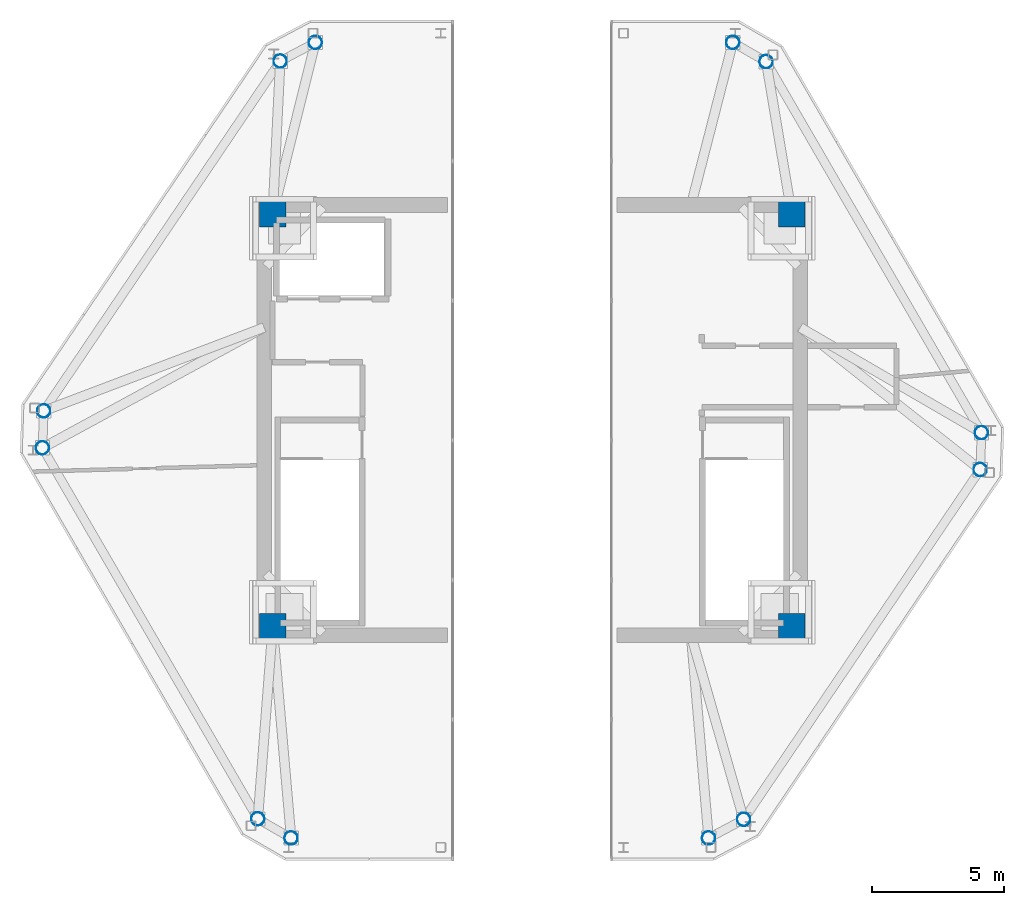
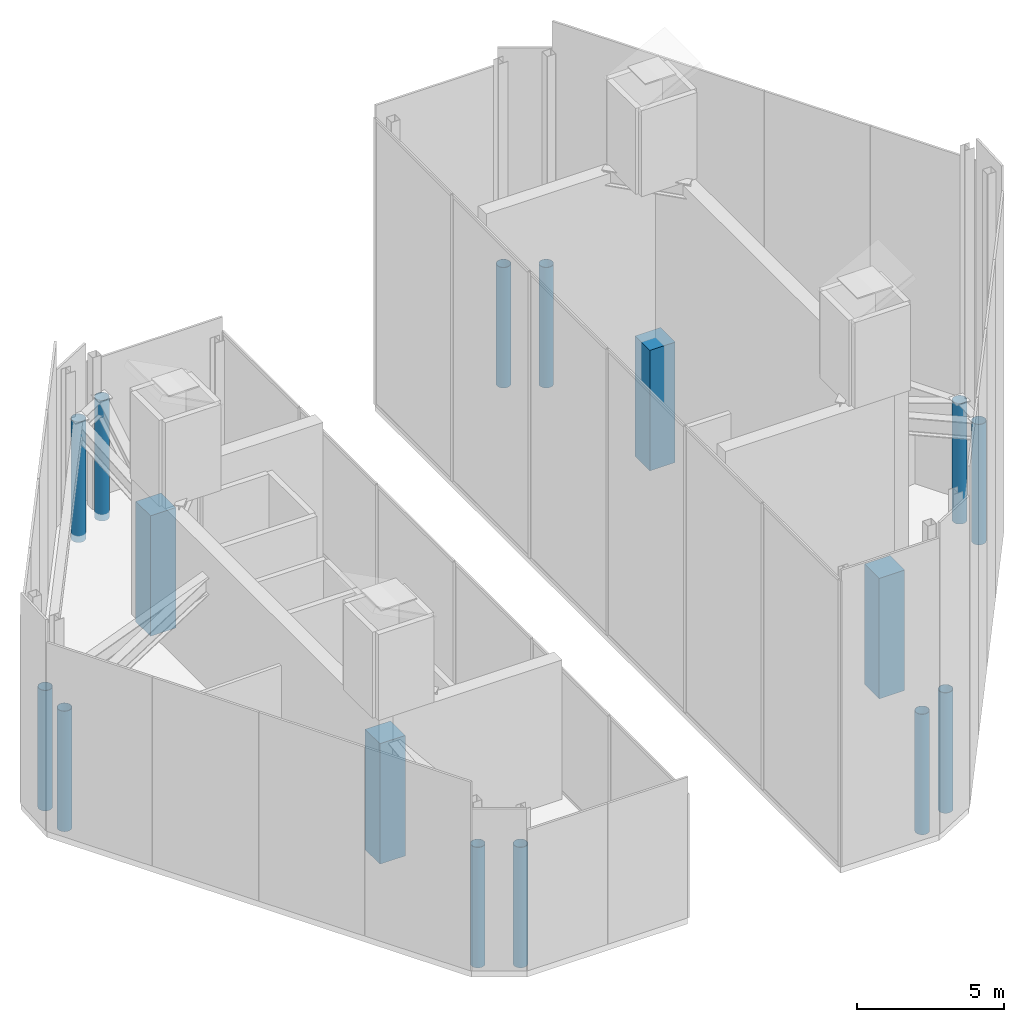
# One storey, part 1 of 9: 16 columns.
"""IFC4 building model written with IfcOpenShell, lengths in metres."""

import ifcopenshell
import ifcopenshell.guid

model = None  # the IFC model being written
_history = None  # IfcOwnerHistory: only IFC2X3 demands one
_inside = {}  # id of a spatial element -> (the spatial element, [elements in it])
_under = {}  # id of a project, library or spatial element -> (it, [spatial elements below it])
_declared = {}  # id of a project -> (the project, [libraries it declares])
_typed = {}  # id of a type object -> (the type object, [elements of that type])
_made_of = {}  # id of a material, layer set ... -> (it, [elements and type objects made of it])


def new_model(schema):
    """Start an empty IFC model of exactly this schema.

    Asked for "IFC4X3", IfcOpenShell would pick the latest addendum, in which some entities
    have other attributes; the version numbers below select the first issue.
    IFC2X3 requires an IfcOwnerHistory on every rooted entity: one is made here for all.
    """
    global model, _history
    if schema == "IFC4X3":
        model = ifcopenshell.file(schema_version=(4, 3, 0, 0))
    else:
        model = ifcopenshell.file(schema=schema)
    _inside.clear()
    _under.clear()
    _declared.clear()
    _typed.clear()
    _made_of.clear()
    _history = None
    if model.schema == "IFC2X3":
        org = make("IfcOrganization", Name="unknown")
        user = make(
            "IfcPersonAndOrganization",
            ThePerson=make("IfcPerson", FamilyName="unknown"),
            TheOrganization=org,
        )
        app = make(
            "IfcApplication",
            ApplicationDeveloper=org,
            Version="unknown",
            ApplicationFullName="unknown",
            ApplicationIdentifier="unknown",
        )
        _history = make(
            "IfcOwnerHistory",
            OwningUser=user,
            OwningApplication=app,
            ChangeAction="ADDED",
            CreationDate=0,
        )
    return model


def make(cls, **values):
    """One entity of the class cls with the attributes given. An attribute that is None is left unset."""
    return model.create_entity(
        cls, **{name: value for name, value in values.items() if value is not None}
    )


def rooted(cls, **values):
    """An entity with a GlobalId (a new one), such as an element, a storey or a relation."""
    return make(cls, GlobalId=ifcopenshell.guid.new(), OwnerHistory=_history, **values)


def si_unit(unit_type, name, prefix=None):
    """IfcSIUnit, for example si_unit("LENGTHUNIT", "METRE", prefix="MILLI")."""
    return make("IfcSIUnit", UnitType=unit_type, Prefix=prefix, Name=name)


def assignment(units):
    """IfcUnitAssignment: the units of a project."""
    return None if units is None else make("IfcUnitAssignment", Units=units)


def point(xyz):
    """IfcCartesianPoint."""
    return None if xyz is None else make("IfcCartesianPoint", Coordinates=xyz)


def direction(xyz):
    """IfcDirection."""
    return None if xyz is None else make("IfcDirection", DirectionRatios=xyz)


def frame(location, z_axis=None, x_axis=None):
    """IfcAxis2Placement3D, a coordinate frame: its origin and axes. An axis left out is left unset."""
    return make(
        "IfcAxis2Placement3D",
        Location=point(location),
        Axis=direction(z_axis),
        RefDirection=direction(x_axis),
    )


def frame_2d(location, x_axis=None):
    """IfcAxis2Placement2D, a coordinate frame in the plane: its origin and x axis."""
    return make(
        "IfcAxis2Placement2D", Location=point(location), RefDirection=direction(x_axis)
    )


def origin():
    """The frame at (0, 0, 0) with its axes left unset."""
    return frame((0.0, 0.0, 0.0))


def origin_2d():
    """The frame at (0, 0) in the plane with its x axis left unset."""
    return frame_2d((0.0, 0.0))


def place(relative_to, where):
    """IfcLocalPlacement: puts the frame where relative to a parent placement (None: the world)."""
    return make(
        "IfcLocalPlacement", PlacementRelTo=relative_to, RelativePlacement=where
    )


def context(
    kind, dimensions, precision=None, world=None, true_north=None, identifier=None
):
    """IfcGeometricRepresentationContext, for example the 3D "Model" context."""
    return make(
        "IfcGeometricRepresentationContext",
        ContextIdentifier=identifier,
        ContextType=kind,
        CoordinateSpaceDimension=dimensions,
        Precision=precision,
        WorldCoordinateSystem=world,
        TrueNorth=true_north,
    )


def subcontext(parent, identifier, kind, view, scale=None):
    """IfcGeometricRepresentationSubContext, for example "Body" below "Model"."""
    return make(
        "IfcGeometricRepresentationSubContext",
        ContextIdentifier=identifier,
        ContextType=kind,
        ParentContext=parent,
        TargetScale=scale,
        TargetView=view,
    )


def project(units=None, contexts=None):
    """IfcProject with its units and contexts."""
    return rooted(
        "IfcProject",
        Name="project",
        RepresentationContexts=contexts,
        UnitsInContext=assignment(units),
    )


def spatial(cls, under=None, at=None, **own):
    """A site, building, storey or space (cls), placed at a placement, below another one or the project."""
    s = rooted(cls, ObjectPlacement=at, **own)
    if under is not None:
        _under.setdefault(under.id(), (under, []))[1].append(s)
    return s


def profile(cls, at=None, kind="AREA", **sizes):
    """A parametric profile (cls). Its sizes go by their IFC names, for example OverallWidth=200.0."""
    return make(cls, ProfileType=kind, Position=at, **sizes)


def rectangle(**sizes):
    """IfcRectangleProfileDef."""
    return profile("IfcRectangleProfileDef", **sizes)


def hollow_circle(**sizes):
    """IfcCircleHollowProfileDef."""
    return profile("IfcCircleHollowProfileDef", **sizes)


def extrude(swept, where, along, depth):
    """IfcExtrudedAreaSolid: the profile swept, set in the frame where, extruded along a direction by depth."""
    return make(
        "IfcExtrudedAreaSolid",
        SweptArea=swept,
        Position=where,
        ExtrudedDirection=direction(along),
        Depth=depth,
    )


def shape(context_of_items, identifier, shape_type, items):
    """IfcShapeRepresentation: the items that make up one representation, for example the "Body"."""
    return make(
        "IfcShapeRepresentation",
        ContextOfItems=context_of_items,
        RepresentationIdentifier=identifier,
        RepresentationType=shape_type,
        Items=items,
    )


def source(mapping_origin, context_of_items, identifier, shape_type, items):
    """IfcRepresentationMap: a shape defined once, which mapped items show again and again."""
    return make(
        "IfcRepresentationMap",
        MappingOrigin=mapping_origin,
        MappedRepresentation=shape(context_of_items, identifier, shape_type, items),
    )


def transform(
    local_origin,
    x_axis=None,
    y_axis=None,
    z_axis=None,
    scale=None,
    scale2=None,
    scale3=None,
    uniform=True,
):
    """IfcCartesianTransformationOperator3D, or its non-uniform kind. x_axis, y_axis, z_axis: its Axis1, 2, 3."""
    if uniform:
        return make(
            "IfcCartesianTransformationOperator3D",
            Axis1=direction(x_axis),
            Axis2=direction(y_axis),
            LocalOrigin=point(local_origin),
            Scale=scale,
            Axis3=direction(z_axis),
        )
    return make(
        "IfcCartesianTransformationOperator3DnonUniform",
        Axis1=direction(x_axis),
        Axis2=direction(y_axis),
        LocalOrigin=point(local_origin),
        Scale=scale,
        Axis3=direction(z_axis),
        Scale2=scale2,
        Scale3=scale3,
    )


def mapped(mapping_source, mapping_target):
    """IfcMappedItem: shows the shape of a source again, moved by a transform."""
    return make(
        "IfcMappedItem", MappingSource=mapping_source, MappingTarget=mapping_target
    )


def material(Name=None, Category=None):
    """IfcMaterial."""
    return make("IfcMaterial", Name=Name, Category=Category)


def material_profile(
    of_material, cross_section, Name=None, Category=None, Priority=None
):
    """IfcMaterialProfile: a cross section and its material."""
    return make(
        "IfcMaterialProfile",
        Name=Name,
        Material=of_material,
        Profile=cross_section,
        Priority=Priority,
        Category=Category,
    )


def profile_set(profiles, Name=None, composite=None):
    """IfcMaterialProfileSet."""
    return make(
        "IfcMaterialProfileSet",
        Name=Name,
        MaterialProfiles=profiles,
        CompositeProfile=composite,
    )


def made_of(thing, what):
    """Note that an element or type object is made of a material, layer set ...; save() writes the relation."""
    if what is not None:
        _made_of.setdefault(what.id(), (what, []))[1].append(thing)
    return thing


def type_object(cls, material=None, **own):
    """A type object (cls), such as IfcWallType, which elements share."""
    return made_of(rooted(cls, **own), material)


def type_shapes(of_type, sources):
    """Give a type object the sources (RepresentationMaps) that its elements show as mapped items."""
    of_type.RepresentationMaps = sources


def element(
    cls,
    number,
    at=None,
    inside=None,
    cuts=None,
    type_object=None,
    material=None,
    context=None,
    identifier="Body",
    shape_type=None,
    held_by="IfcProductDefinitionShape",
    body=None,
    shapes=None,
    **own,
):
    """One element of the class cls, such as IfcWall. Its Tag is "e" and its number.

    at: its placement. inside: the storey or other place that contains it. cuts: it is an
    opening in that element (IfcRelVoidsElement). A single representation is given by context,
    identifier, shape_type and body (its items); several are given by shapes. held_by: the class
    of the entity that holds the representations. save() writes the other relations.
    """
    e = rooted(cls, Tag="e%d" % number, ObjectPlacement=at, **own)
    if body is not None:
        shapes = [shape(context, identifier, shape_type, body)]
    if shapes is not None:
        e.Representation = make(held_by, Representations=shapes)
    if inside is not None:
        _inside.setdefault(inside.id(), (inside, []))[1].append(e)
    if cuts is not None:
        rooted(
            "IfcRelVoidsElement", RelatingBuildingElement=cuts, RelatedOpeningElement=e
        )
    if type_object is not None:
        _typed.setdefault(type_object.id(), (type_object, []))[1].append(e)
    return made_of(e, material)


def aggregate(whole, parts):
    """IfcRelAggregates: a whole, such as a stair, and the parts it consists of."""
    return rooted("IfcRelAggregates", RelatingObject=whole, RelatedObjects=parts)


def save(model, path):
    """Write the relations noted so far, then the file.

    IfcRelAggregates (storeys below a building ...), IfcRelContainedInSpatialStructure (elements
    in a storey), IfcRelDefinesByType, IfcRelAssociatesMaterial and IfcRelDeclares: one each for
    every whole, place, type object, material and project.
    """
    for whole, parts in _under.values():
        aggregate(whole, parts)
    for where, things in _inside.values():
        rooted(
            "IfcRelContainedInSpatialStructure",
            RelatedElements=things,
            RelatingStructure=where,
        )
    for kind, things in _typed.values():
        rooted("IfcRelDefinesByType", RelatedObjects=things, RelatingType=kind)
    for what, things in _made_of.values():
        rooted("IfcRelAssociatesMaterial", RelatedObjects=things, RelatingMaterial=what)
    for by, libraries in _declared.values():
        rooted("IfcRelDeclares", RelatingContext=by, RelatedDefinitions=libraries)
    model.write(path)


model = new_model("IFC4")

# Units and contexts
model_context = context("Model", 3, precision=1e-05, world=origin(), true_north=direction((0.0, 1.0)))
body_context = subcontext(model_context, "Body", "Model", "MODEL_VIEW")
ifc_project = project(units=[si_unit("LENGTHUNIT", "METRE"), si_unit("AREAUNIT", "SQUARE_METRE"), si_unit("VOLUMEUNIT", "CUBIC_METRE"), si_unit("PLANEANGLEUNIT", "RADIAN"), si_unit("MASSUNIT", "GRAM", prefix="KILO")], contexts=[model_context])

# Site, building, storey
site_placement = place(None, origin())
site = spatial("IfcSite", under=ifc_project, at=site_placement, CompositionType="ELEMENT")
building_placement = place(site_placement, origin())
building = spatial("IfcBuilding", under=site, at=building_placement, Name="Durnholm Broadcast Tower", CompositionType="ELEMENT")
storey_placement = place(building_placement, frame((0.0, 0.0, 287.0)))
storey = spatial("IfcBuildingStorey", under=building, at=storey_placement, Name="L79", CompositionType="ELEMENT", Elevation=287.0)

# Columns
ifc_material_1 = material(Name="Concrete C70/85", Category="concrete")
ifc_material_profile_1 = material_profile(ifc_material_1, rectangle(XDim=1.0, YDim=1.0, at=origin_2d()), Name="RC1000X1000")
ifc_profile_set_1 = profile_set([ifc_material_profile_1], Name="Concrete C70/85")
column_type_1 = type_object("IfcColumnType", Name="COL-CC-1000", PredefinedType="COLUMN", material=ifc_profile_set_1)
shared_shape_1 = source(origin(), body_context, "Body", "SweptSolid", [
    extrude(rectangle(XDim=1.0, YDim=1.0, at=origin_2d()), origin(), (0.0, 0.0, 1.0), 5.0),
])
type_shapes(column_type_1, [shared_shape_1])
for number, where, z_axis, x_axis, name in (
    (1, (-9.800048828125, -7.800048828125, -0.280029296875), (0.0, 0.0, 1.0), (1.0, 0.0, 0.0), "L79 core corner column 1"),
    (2, (9.800048828125, -7.800048828125, -0.280029296875), (0.0, 0.0, 1.0), (1.0, 0.0, 0.0), "L79 core corner column 2"),
    (3, (9.800048828125, 7.800048828125, -0.280029296875), (0.0, 0.0, 1.0), (1.0, 0.0, 0.0), "L79 core corner column 3"),
    (4, (-9.800048828125, 7.800048828125, -0.280029296875), (0.0, 0.0, 1.0), (1.0, 0.0, 0.0), "L79 core corner column 4"),
):
    element("IfcColumn", number, at=place(storey_placement, frame(where, z_axis=z_axis, x_axis=x_axis)), inside=storey, type_object=column_type_1, Name=name, PredefinedType="COLUMN", context=body_context, shape_type="MappedRepresentation", body=[
        mapped(shared_shape_1, transform((0.0, 0.0, 0.0), x_axis=(1.0, 0.0, 0.0), y_axis=(0.0, 1.0, 0.0), z_axis=(0.0, 0.0, 1.0), scale=1.0)),
    ])
ifc_material_2 = material(Name="Steel ASTM A500 Grade C", Category="steel")
ifc_material_profile_2 = material_profile(ifc_material_2, hollow_circle(Radius=0.25390625, WallThickness=0.01171875, at=origin_2d()), Name="HSS20.000X0.500")
ifc_profile_set_2 = profile_set([ifc_material_profile_2], Name="Steel ASTM A500 Grade C")
column_type_2 = type_object("IfcColumnType", Name="STL-SC-CHS20", PredefinedType="COLUMN", material=ifc_profile_set_2)
shared_shape_2 = source(origin(), body_context, "Body", "SweptSolid", [
    extrude(hollow_circle(Radius=0.25390625, WallThickness=0.01171875, at=origin_2d()), origin(), (0.0, 0.0, 1.0), 5.0),
])
type_shapes(column_type_2, [shared_shape_2])
for number, where, z_axis, x_axis, name in (
    (5, (-10.361328125, -15.061767578125, -0.280029296875), (0.0, 0.0, 1.0), (1.0, 0.0, 0.0), "L79 perimeter hexagonal tube column 01"),
    (6, (-18.494384765625, -1.0478515625, -0.280029296875), (0.0, 0.0, 1.0), (1.0, 0.0, 0.0), "L79 perimeter hexagonal tube column 02"),
    (7, (-18.4462890625, 0.345947265625, -0.280029296875), (0.0, 0.0, 1.0), (1.0, 0.0, 0.0), "L79 perimeter hexagonal tube column 03"),
    (8, (-9.514892578125, 13.557373046875, -0.280029296875), (0.0, 0.0, 1.0), (1.0, 0.0, 0.0), "L79 perimeter hexagonal tube column 04"),
    (9, (-8.187744140625, 14.261962890625, -0.280029296875), (0.0, 0.0, 1.0), (1.0, 0.0, 0.0), "L79 perimeter hexagonal tube column 05"),
    (10, (7.57958984375, 14.261962890625, -0.280029296875), (0.0, 0.0, 1.0), (1.0, 0.0, 0.0), "L79 perimeter hexagonal tube column 06"),
    (11, (8.83740234375, 13.53759765625, -0.280029296875), (0.0, 0.0, 1.0), (1.0, 0.0, 0.0), "L79 perimeter hexagonal tube column 07"),
    (12, (16.97021484375, -0.47607421875, -0.280029296875), (0.0, 0.0, 1.0), (1.0, 0.0, 0.0), "L79 perimeter hexagonal tube column 08"),
    (13, (16.92236328125, -1.869873046875, -0.280029296875), (0.0, 0.0, 1.0), (1.0, 0.0, 0.0), "L79 perimeter hexagonal tube column 09"),
    (14, (7.990966796875, -15.081298828125, -0.280029296875), (0.0, 0.0, 1.0), (1.0, 0.0, 0.0), "L79 perimeter hexagonal tube column 10"),
    (15, (6.663818359375, -15.785888671875, -0.280029296875), (0.0, 0.0, 1.0), (1.0, 0.0, 0.0), "L79 perimeter hexagonal tube column 11"),
    (16, (-9.103759765625, -15.785888671875, -0.280029296875), (0.0, 0.0, 1.0), (1.0, 0.0, 0.0), "L79 perimeter hexagonal tube column 12"),
):
    element("IfcColumn", number, at=place(storey_placement, frame(where, z_axis=z_axis, x_axis=x_axis)), inside=storey, type_object=column_type_2, Name=name, PredefinedType="COLUMN", context=body_context, shape_type="MappedRepresentation", body=[
        mapped(shared_shape_2, transform((0.0, 0.0, 0.0), x_axis=(1.0, 0.0, 0.0), y_axis=(0.0, 1.0, 0.0), z_axis=(0.0, 0.0, 1.0), scale=1.0)),
    ])

save(model, "model.ifc")
